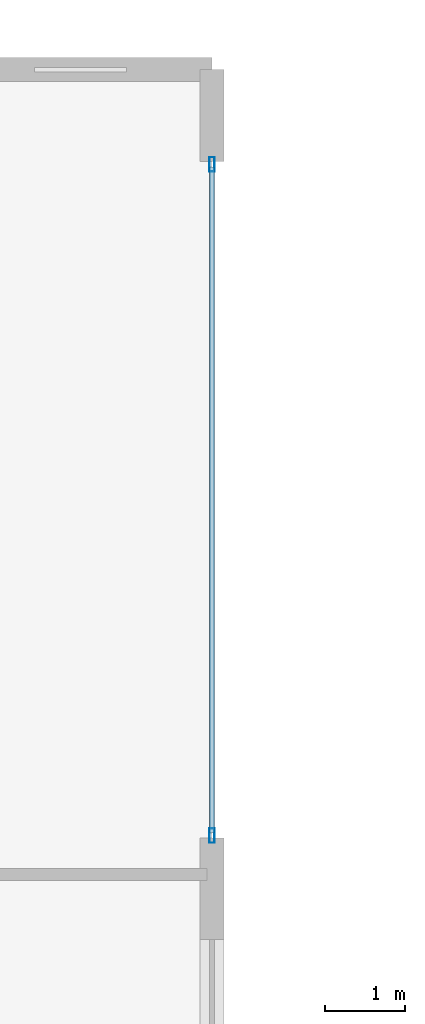
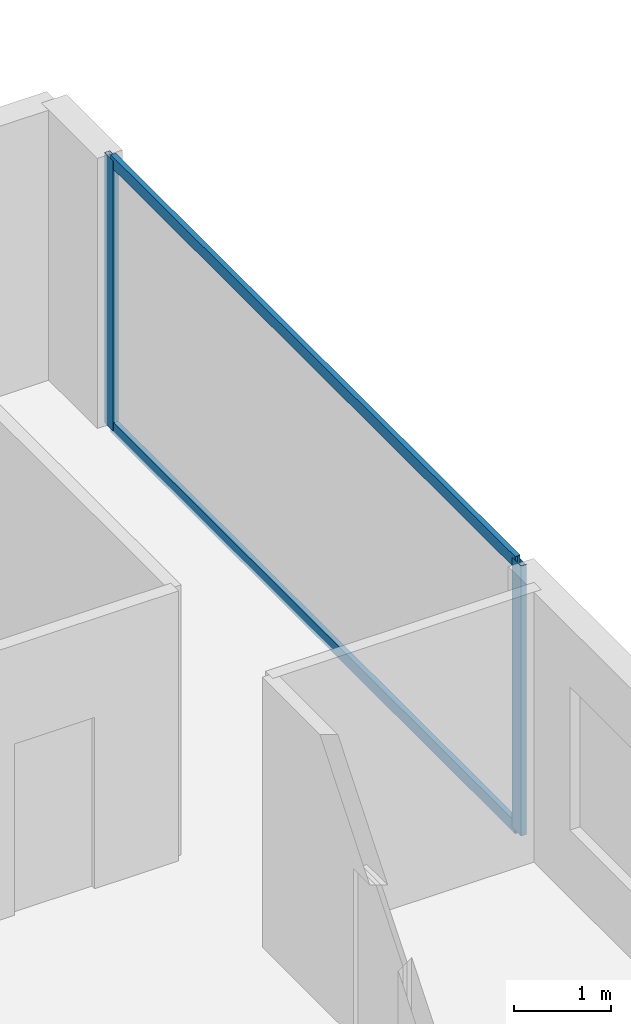
# One storey, part 19 of 29: 4 members, 1 element without a shape of its own.
"""IFC4 building model written with IfcOpenShell, lengths in metres."""

from ifc_helpers import new_model, si_unit, direction, frame, origin, origin_2d, place, context, subcontext, project, spatial, hollow_rectangle, extrude, material, layer, layer_set, material_profile, profile_set, type_object, element, aggregate, save


model = new_model("IFC4")

# Units and contexts
model_context = context("Model", 3, precision=1e-05, world=origin(), true_north=direction((0.0, 1.0)))
body_context = subcontext(model_context, "Body", "Model", "MODEL_VIEW")
ifc_project = project(units=[si_unit("LENGTHUNIT", "METRE"), si_unit("AREAUNIT", "SQUARE_METRE"), si_unit("VOLUMEUNIT", "CUBIC_METRE"), si_unit("PLANEANGLEUNIT", "RADIAN"), si_unit("MASSUNIT", "GRAM", prefix="KILO")], contexts=[model_context])

# Site, building, storey
site_placement = place(None, origin())
site = spatial("IfcSite", under=ifc_project, at=site_placement, CompositionType="ELEMENT")
building_placement = place(site_placement, origin())
building = spatial("IfcBuilding", under=site, at=building_placement, Name="Zuhayl Quay Hotel", CompositionType="ELEMENT")
storey_placement = place(building_placement, frame((0.0, 0.0, 158.550048828125)))
storey = spatial("IfcBuildingStorey", under=building, at=storey_placement, Name="L40", CompositionType="ELEMENT", Elevation=158.550048828125)

# Curtain wall, members
ifc_material_1 = material(Name="Anodised Aluminium 6063-T6", Category="aluminium")
ifc_layer = layer(ifc_material_1, 0.179931640625, Name="Anodised Aluminium 6063-T6", Category="aluminium")
ifc_layer_set = layer_set([ifc_layer], Name="Anodised Aluminium 6063-T6")
curtain_wall_type = type_object("IfcCurtainWallType", Name="CW_SYS_Z2", PredefinedType="USERDEFINED", material=ifc_layer_set)
curtain_wall_placement = place(storey_placement, origin())
curtain_wall = element("IfcCurtainWall", 1, at=curtain_wall_placement, inside=storey, type_object=curtain_wall_type, Name="L40 Curtain Wall ENV_L40_E11_CW1", ObjectType="UNITISED CURTAIN WALL", PredefinedType="USERDEFINED")
ifc_material_2 = material(Name="Black-anodised aluminium 6063-T6", Category="aluminium")
ifc_material_profile_1 = material_profile(ifc_material_2, hollow_rectangle(XDim=0.06494140625, YDim=0.179931640625, WallThickness=0.00341796875, at=origin_2d()), Name="ALU180X65")
ifc_profile_set_1 = profile_set([ifc_material_profile_1], Name="Black-anodised aluminium 6063-T6")
member_type_1 = type_object("IfcMemberType", Name="MB_CW_MUL_180", PredefinedType="MULLION", material=ifc_profile_set_1)
member_1_placement = place(storey_placement, frame((23.89990234375, 23.717529296875, 0.0), z_axis=(0.0, 0.0, 1.0), x_axis=(1.0, 0.0, 0.0)))
member_1 = element("IfcMember", 2, at=member_1_placement, type_object=member_type_1, Name="CW-Z2 mullion 1", PredefinedType="MULLION", context=body_context, shape_type="SweptSolid", body=[
    extrude(hollow_rectangle(XDim=0.06494140625, YDim=0.179931640625, WallThickness=0.00341796875, at=origin_2d()), origin(), (0.0, 0.0, 1.0), 3.389892578125),
])
member_2_placement = place(storey_placement, frame((23.89990234375, 15.33251953125, 0.0), z_axis=(0.0, 0.0, 1.0), x_axis=(1.0, 0.0, 0.0)))
member_2 = element("IfcMember", 3, at=member_2_placement, type_object=member_type_1, Name="CW-Z2 mullion 2", PredefinedType="MULLION", context=body_context, shape_type="SweptSolid", body=[
    extrude(hollow_rectangle(XDim=0.06494140625, YDim=0.179931640625, WallThickness=0.00341796875, at=origin_2d()), origin(), (0.0, 0.0, 1.0), 3.389892578125),
])
ifc_material_profile_2 = material_profile(ifc_material_2, hollow_rectangle(XDim=0.06005859375, YDim=0.14990234375, WallThickness=0.00341796875, at=origin_2d()), Name="ALU150X60")
ifc_profile_set_2 = profile_set([ifc_material_profile_2], Name="Black-anodised aluminium 6063-T6")
member_type_2 = type_object("IfcMemberType", Name="MB_CW_TRN_150", PredefinedType="USERDEFINED", material=ifc_profile_set_2)
member_3_placement = place(storey_placement, frame((23.89990234375, 23.68505859375, 0.030029296875), z_axis=(0.0, -1.0, 0.0), x_axis=(1.0, 0.0, 0.0)))
member_3 = element("IfcMember", 4, at=member_3_placement, type_object=member_type_2, Name="CW-Z2 transom 1.1", ObjectType="TRANSOM", PredefinedType="USERDEFINED", context=body_context, shape_type="SweptSolid", body=[
    extrude(hollow_rectangle(XDim=0.06005859375, YDim=0.14990234375, WallThickness=0.00341796875, at=origin_2d()), origin(), (0.0, 0.0, 1.0), 8.320068359375),
])
member_4_placement = place(storey_placement, frame((23.89990234375, 23.68505859375, 3.35986328125), z_axis=(0.0, -1.0, 0.0), x_axis=(1.0, 0.0, 0.0)))
member_4 = element("IfcMember", 5, at=member_4_placement, type_object=member_type_2, Name="CW-Z2 transom 1.2", ObjectType="TRANSOM", PredefinedType="USERDEFINED", context=body_context, shape_type="SweptSolid", body=[
    extrude(hollow_rectangle(XDim=0.06005859375, YDim=0.14990234375, WallThickness=0.00341796875, at=origin_2d()), origin(), (0.0, 0.0, 1.0), 8.320068359375),
])
aggregate(curtain_wall, [member_1, member_2, member_3, member_4])

save(model, "model.ifc")
